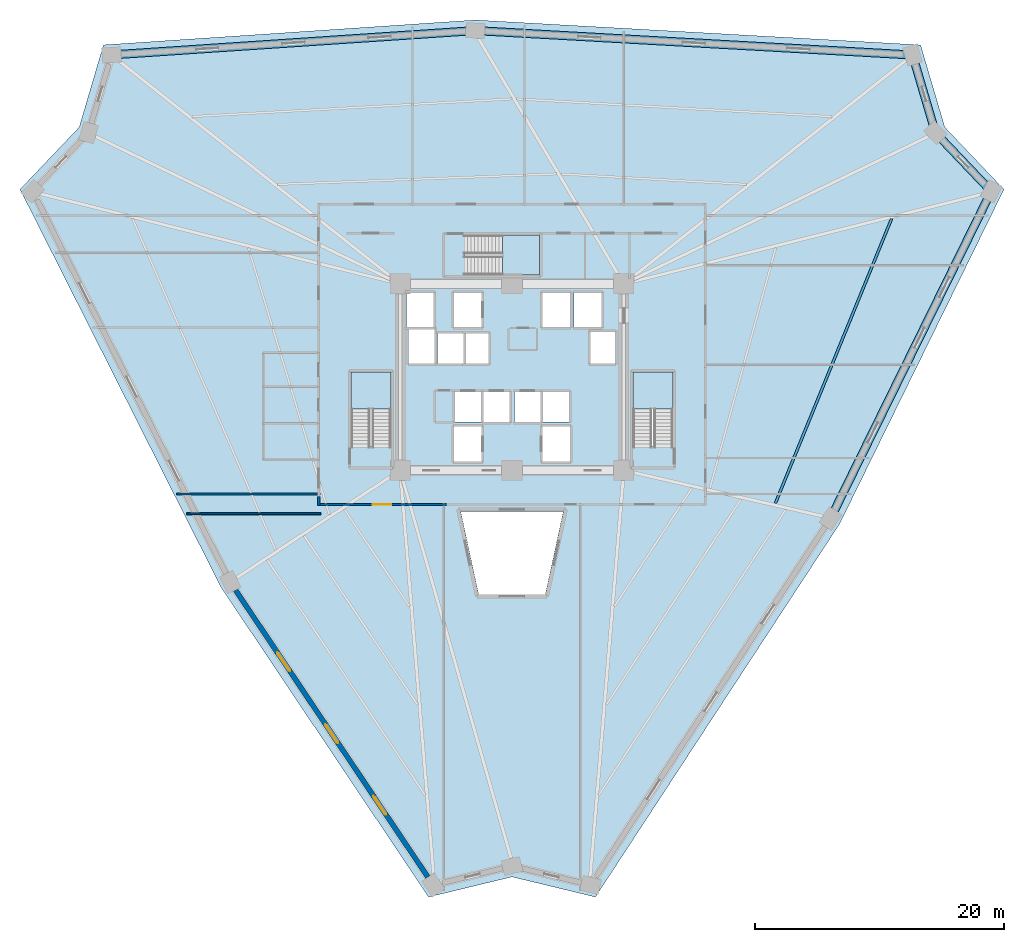
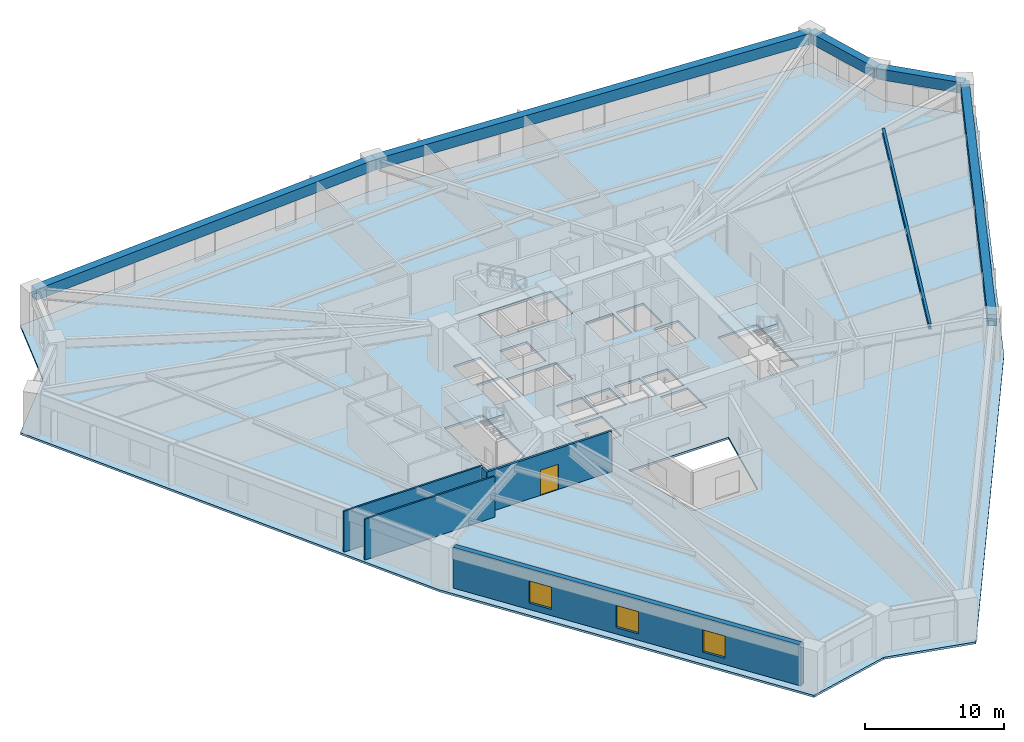
# One storey, part 2 of 9: 6 beams, 5 walls, 4 slabs, 3 windows, 1 door, 4 openings, 3 elements without a shape of their own.
"""IFC4 building model written with IfcOpenShell, lengths in metres."""

import ifcopenshell
import ifcopenshell.guid

model = None  # the IFC model being written
_history = None  # IfcOwnerHistory: only IFC2X3 demands one
_inside = {}  # id of a spatial element -> (the spatial element, [elements in it])
_under = {}  # id of a project, library or spatial element -> (it, [spatial elements below it])
_declared = {}  # id of a project -> (the project, [libraries it declares])
_typed = {}  # id of a type object -> (the type object, [elements of that type])
_made_of = {}  # id of a material, layer set ... -> (it, [elements and type objects made of it])


def new_model(schema):
    """Start an empty IFC model of exactly this schema.

    Asked for "IFC4X3", IfcOpenShell would pick the latest addendum, in which some entities
    have other attributes; the version numbers below select the first issue.
    IFC2X3 requires an IfcOwnerHistory on every rooted entity: one is made here for all.
    """
    global model, _history
    if schema == "IFC4X3":
        model = ifcopenshell.file(schema_version=(4, 3, 0, 0))
    else:
        model = ifcopenshell.file(schema=schema)
    _inside.clear()
    _under.clear()
    _declared.clear()
    _typed.clear()
    _made_of.clear()
    _history = None
    if model.schema == "IFC2X3":
        org = make("IfcOrganization", Name="unknown")
        user = make(
            "IfcPersonAndOrganization",
            ThePerson=make("IfcPerson", FamilyName="unknown"),
            TheOrganization=org,
        )
        app = make(
            "IfcApplication",
            ApplicationDeveloper=org,
            Version="unknown",
            ApplicationFullName="unknown",
            ApplicationIdentifier="unknown",
        )
        _history = make(
            "IfcOwnerHistory",
            OwningUser=user,
            OwningApplication=app,
            ChangeAction="ADDED",
            CreationDate=0,
        )
    return model


def make(cls, **values):
    """One entity of the class cls with the attributes given. An attribute that is None is left unset."""
    return model.create_entity(
        cls, **{name: value for name, value in values.items() if value is not None}
    )


def rooted(cls, **values):
    """An entity with a GlobalId (a new one), such as an element, a storey or a relation."""
    return make(cls, GlobalId=ifcopenshell.guid.new(), OwnerHistory=_history, **values)


def si_unit(unit_type, name, prefix=None):
    """IfcSIUnit, for example si_unit("LENGTHUNIT", "METRE", prefix="MILLI")."""
    return make("IfcSIUnit", UnitType=unit_type, Prefix=prefix, Name=name)


def assignment(units):
    """IfcUnitAssignment: the units of a project."""
    return None if units is None else make("IfcUnitAssignment", Units=units)


def point(xyz):
    """IfcCartesianPoint."""
    return None if xyz is None else make("IfcCartesianPoint", Coordinates=xyz)


def direction(xyz):
    """IfcDirection."""
    return None if xyz is None else make("IfcDirection", DirectionRatios=xyz)


def frame(location, z_axis=None, x_axis=None):
    """IfcAxis2Placement3D, a coordinate frame: its origin and axes. An axis left out is left unset."""
    return make(
        "IfcAxis2Placement3D",
        Location=point(location),
        Axis=direction(z_axis),
        RefDirection=direction(x_axis),
    )


def frame_2d(location, x_axis=None):
    """IfcAxis2Placement2D, a coordinate frame in the plane: its origin and x axis."""
    return make(
        "IfcAxis2Placement2D", Location=point(location), RefDirection=direction(x_axis)
    )


def origin():
    """The frame at (0, 0, 0) with its axes left unset."""
    return frame((0.0, 0.0, 0.0))


def origin_2d():
    """The frame at (0, 0) in the plane with its x axis left unset."""
    return frame_2d((0.0, 0.0))


def place(relative_to, where):
    """IfcLocalPlacement: puts the frame where relative to a parent placement (None: the world)."""
    return make(
        "IfcLocalPlacement", PlacementRelTo=relative_to, RelativePlacement=where
    )


def context(
    kind, dimensions, precision=None, world=None, true_north=None, identifier=None
):
    """IfcGeometricRepresentationContext, for example the 3D "Model" context."""
    return make(
        "IfcGeometricRepresentationContext",
        ContextIdentifier=identifier,
        ContextType=kind,
        CoordinateSpaceDimension=dimensions,
        Precision=precision,
        WorldCoordinateSystem=world,
        TrueNorth=true_north,
    )


def subcontext(parent, identifier, kind, view, scale=None):
    """IfcGeometricRepresentationSubContext, for example "Body" below "Model"."""
    return make(
        "IfcGeometricRepresentationSubContext",
        ContextIdentifier=identifier,
        ContextType=kind,
        ParentContext=parent,
        TargetScale=scale,
        TargetView=view,
    )


def project(units=None, contexts=None):
    """IfcProject with its units and contexts."""
    return rooted(
        "IfcProject",
        Name="project",
        RepresentationContexts=contexts,
        UnitsInContext=assignment(units),
    )


def spatial(cls, under=None, at=None, **own):
    """A site, building, storey or space (cls), placed at a placement, below another one or the project."""
    s = rooted(cls, ObjectPlacement=at, **own)
    if under is not None:
        _under.setdefault(under.id(), (under, []))[1].append(s)
    return s


def polyline(points):
    """IfcPolyline through the points."""
    return make("IfcPolyline", Points=[point(p) for p in points])


def profile(cls, at=None, kind="AREA", **sizes):
    """A parametric profile (cls). Its sizes go by their IFC names, for example OverallWidth=200.0."""
    return make(cls, ProfileType=kind, Position=at, **sizes)


def rectangle(**sizes):
    """IfcRectangleProfileDef."""
    return profile("IfcRectangleProfileDef", **sizes)


def i_section(**sizes):
    """IfcIShapeProfileDef."""
    return profile("IfcIShapeProfileDef", **sizes)


def outline(outer, holes=None, kind="AREA"):
    """IfcArbitraryClosedProfileDef: a profile drawn as a closed curve; with holes, ...WithVoids."""
    if holes is None:
        return make("IfcArbitraryClosedProfileDef", ProfileType=kind, OuterCurve=outer)
    return make(
        "IfcArbitraryProfileDefWithVoids",
        ProfileType=kind,
        OuterCurve=outer,
        InnerCurves=holes,
    )


def extrude(swept, where, along, depth):
    """IfcExtrudedAreaSolid: the profile swept, set in the frame where, extruded along a direction by depth."""
    return make(
        "IfcExtrudedAreaSolid",
        SweptArea=swept,
        Position=where,
        ExtrudedDirection=direction(along),
        Depth=depth,
    )


def shape(context_of_items, identifier, shape_type, items):
    """IfcShapeRepresentation: the items that make up one representation, for example the "Body"."""
    return make(
        "IfcShapeRepresentation",
        ContextOfItems=context_of_items,
        RepresentationIdentifier=identifier,
        RepresentationType=shape_type,
        Items=items,
    )


def source(mapping_origin, context_of_items, identifier, shape_type, items):
    """IfcRepresentationMap: a shape defined once, which mapped items show again and again."""
    return make(
        "IfcRepresentationMap",
        MappingOrigin=mapping_origin,
        MappedRepresentation=shape(context_of_items, identifier, shape_type, items),
    )


def transform(
    local_origin,
    x_axis=None,
    y_axis=None,
    z_axis=None,
    scale=None,
    scale2=None,
    scale3=None,
    uniform=True,
):
    """IfcCartesianTransformationOperator3D, or its non-uniform kind. x_axis, y_axis, z_axis: its Axis1, 2, 3."""
    if uniform:
        return make(
            "IfcCartesianTransformationOperator3D",
            Axis1=direction(x_axis),
            Axis2=direction(y_axis),
            LocalOrigin=point(local_origin),
            Scale=scale,
            Axis3=direction(z_axis),
        )
    return make(
        "IfcCartesianTransformationOperator3DnonUniform",
        Axis1=direction(x_axis),
        Axis2=direction(y_axis),
        LocalOrigin=point(local_origin),
        Scale=scale,
        Axis3=direction(z_axis),
        Scale2=scale2,
        Scale3=scale3,
    )


def mapped(mapping_source, mapping_target):
    """IfcMappedItem: shows the shape of a source again, moved by a transform."""
    return make(
        "IfcMappedItem", MappingSource=mapping_source, MappingTarget=mapping_target
    )


def material(Name=None, Category=None):
    """IfcMaterial."""
    return make("IfcMaterial", Name=Name, Category=Category)


def layer(
    of_material, thickness, ventilated=None, Name=None, Category=None, Priority=None
):
    """IfcMaterialLayer: one layer of a wall or slab, of a material (None: an air gap)."""
    return make(
        "IfcMaterialLayer",
        Material=of_material,
        LayerThickness=thickness,
        IsVentilated=ventilated,
        Name=Name,
        Category=Category,
        Priority=Priority,
    )


def layer_set(layers, Name=None):
    """IfcMaterialLayerSet."""
    return make("IfcMaterialLayerSet", MaterialLayers=layers, LayerSetName=Name)


def material_profile(
    of_material, cross_section, Name=None, Category=None, Priority=None
):
    """IfcMaterialProfile: a cross section and its material."""
    return make(
        "IfcMaterialProfile",
        Name=Name,
        Material=of_material,
        Profile=cross_section,
        Priority=Priority,
        Category=Category,
    )


def profile_set(profiles, Name=None, composite=None):
    """IfcMaterialProfileSet."""
    return make(
        "IfcMaterialProfileSet",
        Name=Name,
        MaterialProfiles=profiles,
        CompositeProfile=composite,
    )


def made_of(thing, what):
    """Note that an element or type object is made of a material, layer set ...; save() writes the relation."""
    if what is not None:
        _made_of.setdefault(what.id(), (what, []))[1].append(thing)
    return thing


def type_object(cls, material=None, **own):
    """A type object (cls), such as IfcWallType, which elements share."""
    return made_of(rooted(cls, **own), material)


def element(
    cls,
    number,
    at=None,
    inside=None,
    cuts=None,
    type_object=None,
    material=None,
    context=None,
    identifier="Body",
    shape_type=None,
    held_by="IfcProductDefinitionShape",
    body=None,
    shapes=None,
    **own,
):
    """One element of the class cls, such as IfcWall. Its Tag is "e" and its number.

    at: its placement. inside: the storey or other place that contains it. cuts: it is an
    opening in that element (IfcRelVoidsElement). A single representation is given by context,
    identifier, shape_type and body (its items); several are given by shapes. held_by: the class
    of the entity that holds the representations. save() writes the other relations.
    """
    e = rooted(cls, Tag="e%d" % number, ObjectPlacement=at, **own)
    if body is not None:
        shapes = [shape(context, identifier, shape_type, body)]
    if shapes is not None:
        e.Representation = make(held_by, Representations=shapes)
    if inside is not None:
        _inside.setdefault(inside.id(), (inside, []))[1].append(e)
    if cuts is not None:
        rooted(
            "IfcRelVoidsElement", RelatingBuildingElement=cuts, RelatedOpeningElement=e
        )
    if type_object is not None:
        _typed.setdefault(type_object.id(), (type_object, []))[1].append(e)
    return made_of(e, material)


def fill(opening, filler):
    """IfcRelFillsElement: the door or window that sits in an opening."""
    return rooted(
        "IfcRelFillsElement",
        RelatingOpeningElement=opening,
        RelatedBuildingElement=filler,
    )


def aggregate(whole, parts):
    """IfcRelAggregates: a whole, such as a stair, and the parts it consists of."""
    return rooted("IfcRelAggregates", RelatingObject=whole, RelatedObjects=parts)


def save(model, path):
    """Write the relations noted so far, then the file.

    IfcRelAggregates (storeys below a building ...), IfcRelContainedInSpatialStructure (elements
    in a storey), IfcRelDefinesByType, IfcRelAssociatesMaterial and IfcRelDeclares: one each for
    every whole, place, type object, material and project.
    """
    for whole, parts in _under.values():
        aggregate(whole, parts)
    for where, things in _inside.values():
        rooted(
            "IfcRelContainedInSpatialStructure",
            RelatedElements=things,
            RelatingStructure=where,
        )
    for kind, things in _typed.values():
        rooted("IfcRelDefinesByType", RelatedObjects=things, RelatingType=kind)
    for what, things in _made_of.values():
        rooted("IfcRelAssociatesMaterial", RelatedObjects=things, RelatingMaterial=what)
    for by, libraries in _declared.values():
        rooted("IfcRelDeclares", RelatingContext=by, RelatedDefinitions=libraries)
    model.write(path)


model = new_model("IFC4")

# Units and contexts
model_context = context("Model", 3, precision=1e-05, world=origin(), true_north=direction((0.0, 1.0)))
body_context = subcontext(model_context, "Body", "Model", "MODEL_VIEW")
ifc_project = project(units=[si_unit("LENGTHUNIT", "METRE"), si_unit("AREAUNIT", "SQUARE_METRE"), si_unit("VOLUMEUNIT", "CUBIC_METRE"), si_unit("PLANEANGLEUNIT", "RADIAN"), si_unit("MASSUNIT", "GRAM", prefix="KILO")], contexts=[model_context])

# Site, building, storey
site_placement = place(None, origin())
site = spatial("IfcSite", under=ifc_project, at=site_placement, CompositionType="ELEMENT")
building_placement = place(site_placement, origin())
building = spatial("IfcBuilding", under=site, at=building_placement, Name="Liaohun Quay Tower", CompositionType="ELEMENT")
storey_placement = place(building_placement, frame((0.0, 0.0, 59.25)))
storey = spatial("IfcBuildingStorey", under=building, at=storey_placement, Name="L15", CompositionType="ELEMENT", Elevation=59.25)

# Beams
ifc_material_1 = material(Name="Precast concrete C55", Category="concrete")
ifc_material_profile_1 = material_profile(ifc_material_1, rectangle(XDim=0.64990234375, YDim=0.949951171875, at=origin_2d()), Name="RC650x950")
ifc_profile_set_1 = profile_set([ifc_material_profile_1], Name="Precast concrete C55")
beam_type_1 = type_object("IfcBeamType", Name="BM-SPD-Z1", PredefinedType="SPANDREL", material=ifc_profile_set_1)
shared_shape_1 = source(origin(), body_context, "Body", "SweptSolid", [
    extrude(rectangle(XDim=0.64990234375, YDim=0.949951171875, at=origin_2d()), origin(), (0.0, 0.0, 1.0), 29.34423828125),
])
for number, where, z_axis, x_axis, name in (
    (1, (27.76708984375, 79.928955078125, 3.094970703125), (0.99776693469, 0.066791796205, 0.0), (-0.066791796205, 0.99776693469, 0.0), "L15 Precast Spandrel Beam PC05-PC06"),
    (2, (98.572021484375, 68.949951171875, 3.094970703125), (-0.44104627376, -0.897484364434, 0.0), (0.897484364434, -0.44104627376, 0.0), "L15 Precast Spandrel Beam PC09-PC10"),
):
    element("IfcBeam", number, at=place(storey_placement, frame(where, z_axis=z_axis, x_axis=x_axis)), inside=storey, type_object=beam_type_1, Name=name, PredefinedType="SPANDREL", context=body_context, shape_type="MappedRepresentation", body=[
        mapped(shared_shape_1, transform((0.0, 0.0, 0.0), x_axis=(1.0, 0.0, 0.0), y_axis=(0.0, 1.0, 0.0), z_axis=(0.0, 0.0, 1.0), scale=1.0)),
    ])
shared_shape_2 = source(origin(), body_context, "Body", "SweptSolid", [
    extrude(rectangle(XDim=0.64990234375, YDim=0.949951171875, at=origin_2d()), origin(), (0.0, 0.0, 1.0), 6.52099609375),
])
beam_1_placement = place(storey_placement, frame((94.076904296875, 73.674072265625, 3.094970703125), z_axis=(0.689329769443, -0.724447699257, 0.0), x_axis=(0.724447699257, 0.689329769443, 0.0)))
element("IfcBeam", 3, at=beam_1_placement, inside=storey, type_object=beam_type_1, Name="L15 Precast Spandrel Beam PC08-PC09", PredefinedType="SPANDREL", context=body_context, shape_type="MappedRepresentation", body=[
    mapped(shared_shape_2, transform((0.0, 0.0, 0.0), x_axis=(1.0, 0.0, 0.0), y_axis=(0.0, 1.0, 0.0), z_axis=(0.0, 0.0, 1.0), scale=1.0)),
])
shared_shape_3 = source(origin(), body_context, "Body", "SweptSolid", [
    extrude(rectangle(XDim=0.64990234375, YDim=0.949951171875, at=origin_2d()), origin(), (0.0, 0.0, 1.0), 35.244140625),
])
beam_2_placement = place(storey_placement, frame((57.0458984375, 81.888916015625, 3.094970703125), z_axis=(0.998443233179, -0.055777326212, 0.0), x_axis=(0.055777326212, 0.998443233179, 0.0)))
element("IfcBeam", 4, at=beam_2_placement, inside=storey, type_object=beam_type_1, Name="L15 Precast Spandrel Beam PC06-PC07", PredefinedType="SPANDREL", context=body_context, shape_type="MappedRepresentation", body=[
    mapped(shared_shape_3, transform((0.0, 0.0, 0.0), x_axis=(1.0, 0.0, 0.0), y_axis=(0.0, 1.0, 0.0), z_axis=(0.0, 0.0, 1.0), scale=1.0)),
])
shared_shape_4 = source(origin(), body_context, "Body", "SweptSolid", [
    extrude(rectangle(XDim=0.64990234375, YDim=0.949951171875, at=origin_2d()), origin(), (0.0, 0.0, 1.0), 6.514892578125),
])
beam_3_placement = place(storey_placement, frame((92.235107421875, 79.923095703125, 3.094970703125), z_axis=(0.282710021561, -0.959205423102, 0.0), x_axis=(0.959205423102, 0.282710021561, 0.0)))
element("IfcBeam", 5, at=beam_3_placement, inside=storey, type_object=beam_type_1, Name="L15 Precast Spandrel Beam PC07-PC08", PredefinedType="SPANDREL", context=body_context, shape_type="MappedRepresentation", body=[
    mapped(shared_shape_4, transform((0.0, 0.0, 0.0), x_axis=(1.0, 0.0, 0.0), y_axis=(0.0, 1.0, 0.0), z_axis=(0.0, 0.0, 1.0), scale=1.0)),
])
ifc_material_2 = material(Name="Steel Q355D", Category="steel")
ifc_material_profile_2 = material_profile(ifc_material_2, i_section(OverallWidth=0.199951171875, OverallDepth=0.449951171875, WebThickness=0.009033203125, FlangeThickness=0.013916015625, at=origin_2d()), Name="HN450x200x9x14")
ifc_profile_set_2 = profile_set([ifc_material_profile_2], Name="Steel Q355D")
beam_type_2 = type_object("IfcBeamType", Name="BM-SEC-J1", PredefinedType="JOIST", material=ifc_profile_set_2)
shared_shape_5 = source(origin(), body_context, "Body", "SweptSolid", [
    extrude(i_section(OverallWidth=0.199951171875, OverallDepth=0.449951171875, WebThickness=0.009033203125, FlangeThickness=0.013916015625, at=origin_2d()), origin(), (0.0, 0.0, 1.0), 24.732421875),
])
beam_4_placement = place(storey_placement, frame((90.5439453125, 66.738037109375, 3.344970703125), z_axis=(-0.378040840239, -0.925788919307, 0.0), x_axis=(0.925788919307, -0.378040840239, 0.0)))
element("IfcBeam", 6, at=beam_4_placement, inside=storey, type_object=beam_type_2, Name="L15 Wing Secondary Floor Joist SJ-11", PredefinedType="JOIST", context=body_context, shape_type="MappedRepresentation", body=[
    mapped(shared_shape_5, transform((0.0, 0.0, 0.0), x_axis=(1.0, 0.0, 0.0), y_axis=(0.0, 1.0, 0.0), z_axis=(0.0, 0.0, 1.0), scale=1.0)),
])

# Stair, slab
ifc_material_3 = material(Name="Concrete C45", Category="concrete")
stair_type = type_object("IfcStairType", Name="STR-CORE-OFF", PredefinedType="HALF_TURN_STAIR", material=ifc_material_3)
stair_1_placement = place(storey_placement, origin())
stair_1 = element("IfcStair", 7, at=stair_1_placement, inside=storey, type_object=stair_type, Name="L15 Smokeproof Core Exit Stair ST-1", PredefinedType="HALF_TURN_STAIR")
ifc_layer_1 = layer(ifc_material_3, 0.199951171875, Name="Concrete C45", Category="concrete")
ifc_layer_set_1 = layer_set([ifc_layer_1], Name="Concrete C45")
slab_type_1 = type_object("IfcSlabType", Name="SLB-LND-200", PredefinedType="LANDING", material=ifc_layer_set_1)
slab_1_placement = place(storey_placement, frame((0.0, 0.0, 1.675048828125)))
slab_1 = element("IfcSlab", 8, at=slab_1_placement, type_object=slab_type_1, Name="ST-1 landing 1", PredefinedType="LANDING", context=body_context, shape_type="SweptSolid", body=[
    extrude(outline(polyline([(50.280029296875, 51.429931640625), (50.280029296875, 54.419921875), (47.0400390625, 54.419921875), (47.0400390625, 51.429931640625), (50.280029296875, 51.429931640625)])), origin(), (0.0, 0.0, 1.0), 0.199951171875),
])
aggregate(stair_1, [slab_1])

stair_2_placement = place(storey_placement, origin())
stair_2 = element("IfcStair", 9, at=stair_2_placement, inside=storey, type_object=stair_type, Name="L15 Smokeproof Core Exit Stair ST-2", PredefinedType="HALF_TURN_STAIR")
slab_2_placement = place(storey_placement, frame((0.0, 0.0, 1.675048828125)))
slab_2 = element("IfcSlab", 10, at=slab_2_placement, type_object=slab_type_1, Name="ST-2 landing 1", PredefinedType="LANDING", context=body_context, shape_type="SweptSolid", body=[
    extrude(outline(polyline([(72.9599609375, 51.429931640625), (72.9599609375, 54.419921875), (69.719970703125, 54.419921875), (69.719970703125, 51.429931640625), (72.9599609375, 51.429931640625)])), origin(), (0.0, 0.0, 1.0), 0.199951171875),
])
aggregate(stair_2, [slab_2])

stair_3_placement = place(storey_placement, origin())
stair_3 = element("IfcStair", 11, at=stair_3_placement, inside=storey, type_object=stair_type, Name="L15 Smokeproof Core Exit Stair ST-3", PredefinedType="HALF_TURN_STAIR")
slab_3_placement = place(storey_placement, frame((0.0, 0.0, 1.675048828125)))
slab_3 = element("IfcSlab", 12, at=slab_3_placement, type_object=slab_type_1, Name="ST-3 landing 1", PredefinedType="LANDING", context=body_context, shape_type="SweptSolid", body=[
    extrude(outline(polyline([(59.22998046875, 62.199951171875), (62.219970703125, 62.199951171875), (62.219970703125, 65.43994140625), (59.22998046875, 65.43994140625), (59.22998046875, 62.199951171875)])), origin(), (0.0, 0.0, 1.0), 0.199951171875),
])
aggregate(stair_3, [slab_3])

# Slab
ifc_layer_2 = layer(ifc_material_3, 0.179931640625, Name="Concrete C45", Category="concrete")
ifc_layer_set_2 = layer_set([ifc_layer_2], Name="Concrete C45")
slab_type_2 = type_object("IfcSlabType", Name="SLB-OFF-180", PredefinedType="FLOOR", material=ifc_layer_set_2)
slab_4_placement = place(storey_placement, frame((0.0, 0.0, -0.179931640625)))
element("IfcSlab", 13, at=slab_4_placement, inside=storey, type_object=slab_type_2, Name="L15 Structural Floor Slab", PredefinedType="FLOOR", context=body_context, shape_type="SweptSolid", body=[
    extrude(outline(polyline([(53.284912109375, 12.156005859375), (60.0, 13.778076171875), (66.715087890625, 12.156005859375), (86.3701171875, 42.19189453125), (99.595947265625, 69.10693359375), (94.833984375, 74.111083984375), (92.881103515625, 80.738037109375), (57.041015625, 82.740966796875), (27.118896484375, 80.738037109375), (25.166015625, 74.111083984375), (20.404052734375, 69.10693359375), (36.589111328125, 37.06689453125), (53.284912109375, 12.156005859375)]), holes=[polyline([(57.56005859375, 47.2099609375), (57.56005859375, 50.030029296875), (55.340087890625, 50.030029296875), (55.340087890625, 47.2099609375), (57.56005859375, 47.2099609375)]), polyline([(50.280029296875, 54.419921875), (47.0400390625, 54.419921875), (47.0400390625, 48.409912109375), (50.280029296875, 48.409912109375), (50.280029296875, 54.419921875)]), polyline([(57.510009765625, 50.389892578125), (57.510009765625, 52.81005859375), (55.389892578125, 52.81005859375), (55.389892578125, 50.389892578125), (57.510009765625, 50.389892578125)]), polyline([(59.81005859375, 50.389892578125), (59.81005859375, 52.81005859375), (57.68994140625, 52.81005859375), (57.68994140625, 50.389892578125), (59.81005859375, 50.389892578125)]), polyline([(58.110107421875, 57.510009765625), (53.989990234375, 57.510009765625), (53.989990234375, 55.090087890625), (58.110107421875, 55.090087890625), (58.110107421875, 57.510009765625)]), polyline([(53.760009765625, 55.090087890625), (53.760009765625, 57.909912109375), (51.7099609375, 57.909912109375), (51.7099609375, 55.090087890625), (53.760009765625, 55.090087890625)]), polyline([(51.489990234375, 58.0400390625), (53.7099609375, 58.0400390625), (53.7099609375, 60.7900390625), (51.489990234375, 60.7900390625), (51.489990234375, 58.0400390625)]), polyline([(55.340087890625, 58.0400390625), (57.56005859375, 58.0400390625), (57.56005859375, 60.7900390625), (55.340087890625, 60.7900390625), (55.340087890625, 58.0400390625)]), polyline([(62.68408203125, 36.51611328125), (64.12890625, 43.199951171875), (55.87109375, 43.199951171875), (57.31591796875, 36.51611328125), (62.68408203125, 36.51611328125)]), polyline([(64.659912109375, 47.2099609375), (64.659912109375, 50.030029296875), (62.43994140625, 50.030029296875), (62.43994140625, 47.2099609375), (64.659912109375, 47.2099609375)]), polyline([(72.9599609375, 54.419921875), (69.719970703125, 54.419921875), (69.719970703125, 48.409912109375), (72.9599609375, 48.409912109375), (72.9599609375, 54.419921875)]), polyline([(62.31005859375, 50.389892578125), (62.31005859375, 52.81005859375), (60.18994140625, 52.81005859375), (60.18994140625, 50.389892578125), (62.31005859375, 50.389892578125)]), polyline([(64.610107421875, 50.389892578125), (64.610107421875, 52.81005859375), (62.489990234375, 52.81005859375), (62.489990234375, 50.389892578125), (64.610107421875, 50.389892578125)]), polyline([(68.2900390625, 55.090087890625), (68.2900390625, 57.659912109375), (66.2900390625, 57.659912109375), (66.2900390625, 55.090087890625), (68.2900390625, 55.090087890625)]), polyline([(64.659912109375, 58.0400390625), (64.659912109375, 60.7900390625), (62.43994140625, 60.7900390625), (62.43994140625, 58.0400390625), (64.659912109375, 58.0400390625)]), polyline([(64.989990234375, 58.0400390625), (67.2099609375, 58.0400390625), (67.2099609375, 60.7900390625), (64.989990234375, 60.7900390625), (64.989990234375, 58.0400390625)]), polyline([(56.2099609375, 62.199951171875), (62.219970703125, 62.199951171875), (62.219970703125, 65.43994140625), (56.2099609375, 65.43994140625), (56.2099609375, 62.199951171875)])]), origin(), (0.0, 0.0, 1.0), 0.179931640625),
])

# Wall, openings, windows
ifc_material_4 = material(Name="Precast concrete C50 insulated sandwich", Category="concrete")
ifc_layer_3 = layer(ifc_material_4, 0.419921875, Name="Precast concrete C50 insulated sandwich", Category="concrete")
ifc_layer_set_3 = layer_set([ifc_layer_3], Name="Precast concrete C50 insulated sandwich")
wall_type_1 = type_object("IfcWallType", Name="WAL-EXT-Z12", PredefinedType="SOLIDWALL", material=ifc_layer_set_3)
wall_1_placement = place(storey_placement, frame((37.75, 36.862060546875, 0.0), z_axis=(0.0, 0.0, 1.0), x_axis=(0.556718017368, -0.830701540349, 0.0)))
wall_1 = element("IfcWall", 14, at=wall_1_placement, inside=storey, type_object=wall_type_1, Name="L15 Brutalist Precast Pier Wall 11", PredefinedType="SOLIDWALL", context=body_context, shape_type="SweptSolid", body=[
    extrude(rectangle(XDim=27.81494140625, YDim=0.419921875, at=frame_2d((13.907470703125, 0.0))), origin(), (0.0, 0.0, 1.0), 3.570068359375),
])
shared_shape_6 = source(origin(), body_context, "Body", "SweptSolid", [
    extrude(rectangle(XDim=1.800048828125, YDim=1.949951171875, at=frame_2d((0.89990234375, 0.97509765625))), frame((0.0, 0.219970703125, 0.0), z_axis=(0.0, -1.0, 0.0), x_axis=(1.0, 0.0, 0.0)), (0.0, 0.0, 1.0), 0.43994140625),
])
opening_1_placement = place(wall_1_placement, frame((6.053955078125, 0.0, 0.550048828125)))
opening_1 = element("IfcOpeningElement", 15, at=opening_1_placement, cuts=wall_1, Name="Opening W01", PredefinedType="OPENING", context=body_context, shape_type="MappedRepresentation", body=[
    mapped(shared_shape_6, transform((0.0, 0.0, 0.0), x_axis=(1.0, 0.0, 0.0), y_axis=(0.0, 1.0, 0.0), z_axis=(0.0, 0.0, 1.0), scale=1.0)),
])
opening_2_placement = place(wall_1_placement, frame((13.007080078125, 0.0, 0.550048828125)))
opening_2 = element("IfcOpeningElement", 16, at=opening_2_placement, cuts=wall_1, Name="Opening W01", PredefinedType="OPENING", context=body_context, shape_type="MappedRepresentation", body=[
    mapped(shared_shape_6, transform((0.0, 0.0, 0.0), x_axis=(1.0, 0.0, 0.0), y_axis=(0.0, 1.0, 0.0), z_axis=(0.0, 0.0, 1.0), scale=1.0)),
])
opening_3_placement = place(wall_1_placement, frame((19.9609375, 0.0, 0.550048828125)))
opening_3 = element("IfcOpeningElement", 17, at=opening_3_placement, cuts=wall_1, Name="Opening W01", PredefinedType="OPENING", context=body_context, shape_type="MappedRepresentation", body=[
    mapped(shared_shape_6, transform((0.0, 0.0, 0.0), x_axis=(1.0, 0.0, 0.0), y_axis=(0.0, 1.0, 0.0), z_axis=(0.0, 0.0, 1.0), scale=1.0)),
])
ifc_material_5 = material(Name="Triple Low-E argon glazing in thermally broken aluminium", Category="aluminium")
window_type = type_object("IfcWindowType", Name="WIN-PUN-Z1", PartitioningType="DOUBLE_PANEL_VERTICAL", PredefinedType="WINDOW", material=ifc_material_5)
shared_shape_7 = source(origin(), body_context, "Body", "SweptSolid", [
    extrude(rectangle(XDim=1.800048828125, YDim=1.949951171875, at=frame_2d((0.89990234375, 0.97509765625))), frame((0.0, 0.030029296875, 0.0), z_axis=(0.0, -1.0, 0.0), x_axis=(1.0, 0.0, 0.0)), (0.0, 0.0, 1.0), 0.06005859375),
])
window_1_placement = place(opening_1_placement, origin())
window_1 = element("IfcWindow", 18, at=window_1_placement, inside=storey, type_object=window_type, Name="L15 Recessed Cold-Climate Punched Window 11-1", OverallHeight=1.949951171875, OverallWidth=1.800048828125, PartitioningType="DOUBLE_PANEL_VERTICAL", PredefinedType="WINDOW", context=body_context, shape_type="MappedRepresentation", body=[
    mapped(shared_shape_7, transform((0.0, 0.0, 0.0), x_axis=(1.0, 0.0, 0.0), y_axis=(0.0, 1.0, 0.0), z_axis=(0.0, 0.0, 1.0), scale=1.0)),
])
fill(opening_1, window_1)
window_2_placement = place(opening_2_placement, origin())
window_2 = element("IfcWindow", 19, at=window_2_placement, inside=storey, type_object=window_type, Name="L15 Recessed Cold-Climate Punched Window 11-2", OverallHeight=1.949951171875, OverallWidth=1.800048828125, PartitioningType="DOUBLE_PANEL_VERTICAL", PredefinedType="WINDOW", context=body_context, shape_type="MappedRepresentation", body=[
    mapped(shared_shape_7, transform((0.0, 0.0, 0.0), x_axis=(1.0, 0.0, 0.0), y_axis=(0.0, 1.0, 0.0), z_axis=(0.0, 0.0, 1.0), scale=1.0)),
])
fill(opening_2, window_2)
window_3_placement = place(opening_3_placement, origin())
window_3 = element("IfcWindow", 20, at=window_3_placement, inside=storey, type_object=window_type, Name="L15 Recessed Cold-Climate Punched Window 11-3", OverallHeight=1.949951171875, OverallWidth=1.800048828125, PartitioningType="DOUBLE_PANEL_VERTICAL", PredefinedType="WINDOW", context=body_context, shape_type="MappedRepresentation", body=[
    mapped(shared_shape_7, transform((0.0, 0.0, 0.0), x_axis=(1.0, 0.0, 0.0), y_axis=(0.0, 1.0, 0.0), z_axis=(0.0, 0.0, 1.0), scale=1.0)),
])
fill(opening_3, window_3)

# Wall, opening, door
ifc_material_6 = material(Name="Autoclaved aerated concrete blockwork", Category="masonry")
ifc_layer_4 = layer(ifc_material_6, 0.179931640625, Name="Autoclaved aerated concrete blockwork", Category="masonry")
ifc_layer_set_4 = layer_set([ifc_layer_4], Name="Autoclaved aerated concrete blockwork")
wall_type_2 = type_object("IfcWallType", Name="WAL-PRT-COR", PredefinedType="PARTITIONING", material=ifc_layer_set_4)
wall_2_placement = place(storey_placement, frame((54.715087890625, 43.739990234375, 0.0), z_axis=(0.0, 0.0, 1.0), x_axis=(-1.0, 0.0, 0.0)))
wall_2 = element("IfcWall", 21, at=wall_2_placement, inside=storey, type_object=wall_type_2, Name="L15 Interior Partition Wall 019", PredefinedType="PARTITIONING", context=body_context, shape_type="SweptSolid", body=[
    extrude(rectangle(XDim=10.344970703125, YDim=0.179931640625, at=frame_2d((5.17236328125, 0.0))), origin(), (0.0, 0.0, 1.0), 3.570068359375),
])
shared_shape_8 = source(origin(), body_context, "Body", "SweptSolid", [
    extrude(rectangle(XDim=1.5, YDim=2.199951171875, at=frame_2d((0.75, 1.10009765625))), frame((0.0, 0.099853515625, 0.0), z_axis=(0.0, -1.0, 0.0), x_axis=(1.0, 0.0, 0.0)), (0.0, 0.0, 1.0), 0.199951171875),
])
opening_4_placement = place(wall_2_placement, frame((4.423095703125, 0.0, 0.0)))
opening_4 = element("IfcOpeningElement", 22, at=opening_4_placement, cuts=wall_2, Name="Opening OD2", PredefinedType="OPENING", context=body_context, shape_type="MappedRepresentation", body=[
    mapped(shared_shape_8, transform((0.0, 0.0, 0.0), x_axis=(1.0, 0.0, 0.0), y_axis=(0.0, 1.0, 0.0), z_axis=(0.0, 0.0, 1.0), scale=1.0)),
])
ifc_material_7 = material(Name="Acoustic oak veneer double door")
door_type = type_object("IfcDoorType", Name="DOR-OFF-1500", OperationType="DOUBLE_DOOR_SINGLE_SWING", PredefinedType="DOOR", material=ifc_material_7)
shared_shape_9 = source(origin(), body_context, "Body", "SweptSolid", [
    extrude(rectangle(XDim=1.5, YDim=2.199951171875, at=frame_2d((0.75, 1.10009765625))), frame((0.0, 0.02490234375, 0.0), z_axis=(0.0, -1.0, 0.0), x_axis=(1.0, 0.0, 0.0)), (0.0, 0.0, 1.0), 0.050048828125),
])
door_placement = place(opening_4_placement, origin())
door = element("IfcDoor", 23, at=door_placement, inside=storey, type_object=door_type, Name="L15 Open-Plan Office Workplace 10 Door", OperationType="DOUBLE_DOOR_SINGLE_SWING", OverallHeight=2.199951171875, OverallWidth=1.5, PredefinedType="DOOR", context=body_context, shape_type="MappedRepresentation", body=[
    mapped(shared_shape_9, transform((0.0, 0.0, 0.0), x_axis=(1.0, 0.0, 0.0), y_axis=(0.0, 1.0, 0.0), z_axis=(0.0, 0.0, 1.0), scale=1.0)),
])
fill(opening_4, door)

# Walls
wall_3_placement = place(storey_placement, frame((44.43994140625, 43.669921875, 0.0), z_axis=(0.0, 0.0, 1.0), x_axis=(0.0, 1.0, 0.0)))
element("IfcWall", 24, at=wall_3_placement, inside=storey, type_object=wall_type_2, Name="L15 Interior Partition Wall 039", PredefinedType="PARTITIONING", context=body_context, shape_type="SweptSolid", body=[
    extrude(rectangle(XDim=0.715087890625, YDim=0.179931640625, at=frame_2d((0.357421875, 0.0))), origin(), (0.0, 0.0, 1.0), 3.570068359375),
])
ifc_material_8 = material(Name="Gypsum board on twin steel studs", Category="steel")
ifc_layer_5 = layer(ifc_material_8, 0.139892578125, Name="Gypsum board on twin steel studs", Category="steel")
ifc_layer_set_5 = layer_set([ifc_layer_5], Name="Gypsum board on twin steel studs")
wall_type_3 = type_object("IfcWallType", Name="WAL-PRT-OFF", PredefinedType="PARTITIONING", material=ifc_layer_set_5)
wall_4_placement = place(storey_placement, frame((44.60009765625, 43.0, 0.0), z_axis=(0.0, 0.0, 1.0), x_axis=(-1.0, 0.0, 0.0)))
element("IfcWall", 25, at=wall_4_placement, inside=storey, type_object=wall_type_3, Name="L15 Interior Partition Wall 041", PredefinedType="PARTITIONING", context=body_context, shape_type="SweptSolid", body=[
    extrude(rectangle(XDim=10.76220703125, YDim=0.139892578125, at=frame_2d((5.381103515625, 0.0))), origin(), (0.0, 0.0, 1.0), 3.570068359375),
])
wall_5_placement = place(storey_placement, frame((44.5400390625, 44.60009765625, 0.0), z_axis=(0.0, 0.0, 1.0), x_axis=(-1.0, 0.0, 0.0)))
element("IfcWall", 26, at=wall_5_placement, inside=storey, type_object=wall_type_3, Name="L15 Interior Partition Wall 042", PredefinedType="PARTITIONING", context=body_context, shape_type="SweptSolid", body=[
    extrude(rectangle(XDim=11.510009765625, YDim=0.139892578125, at=frame_2d((5.7548828125, 0.0))), origin(), (0.0, 0.0, 1.0), 3.570068359375),
])

save(model, "model.ifc")
